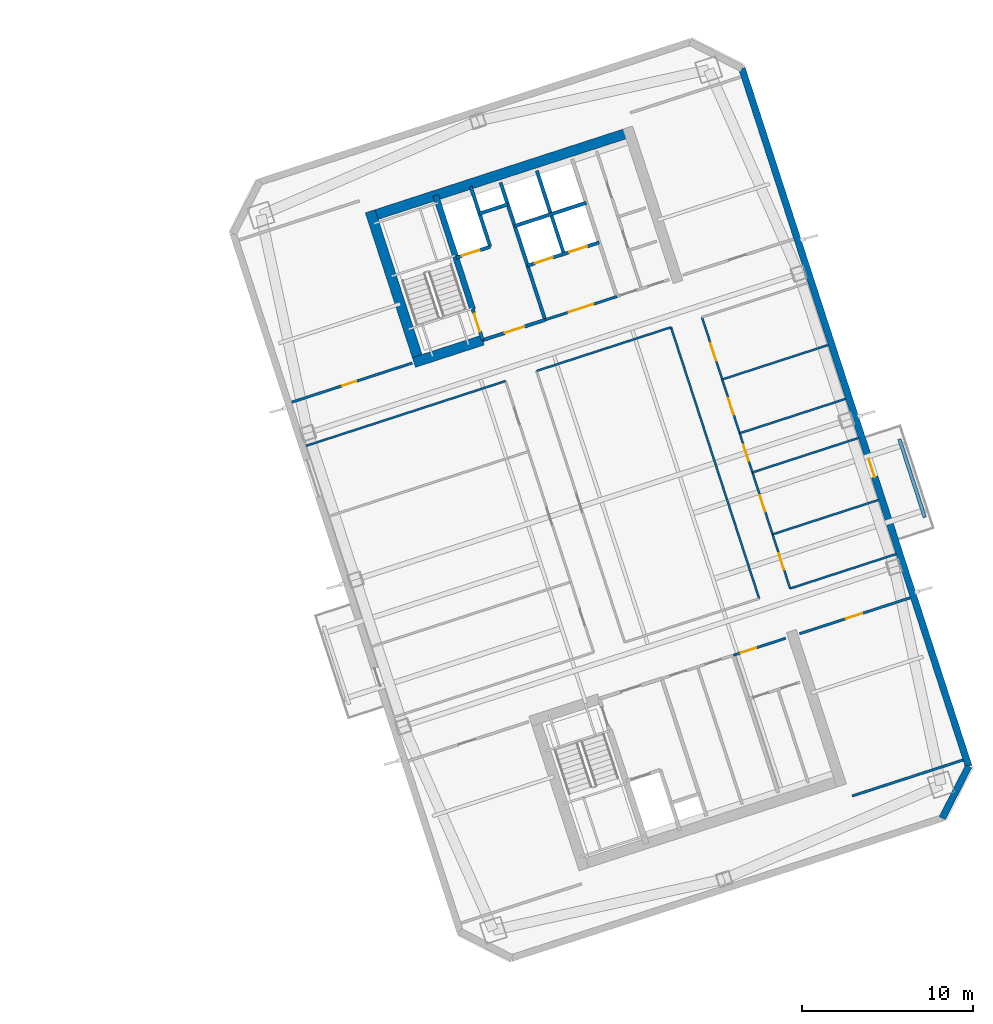
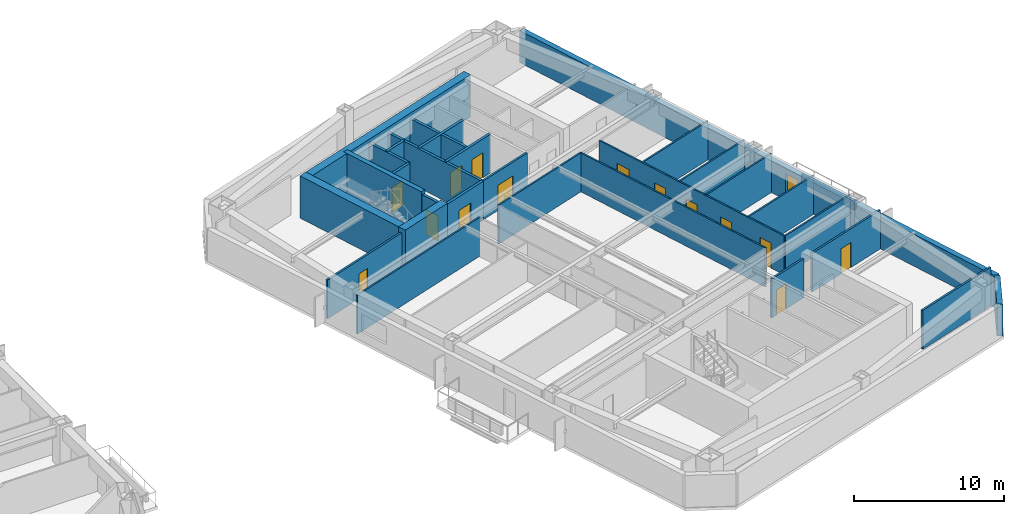
# One storey, part 9 of 17: 30 walls, 15 doors, 15 openings.
"""IFC4 building model written with IfcOpenShell, lengths in metres."""

from ifc_helpers import new_model, si_unit, direction, frame, frame_2d, origin, place, context, subcontext, project, spatial, rectangle, extrude, material, layer, layer_set, type_object, element, fill, save


model = new_model("IFC4")

# Units and contexts
model_context = context("Model", 3, precision=1e-05, world=origin(), true_north=direction((0.0, 1.0)))
body_context = subcontext(model_context, "Body", "Model", "MODEL_VIEW")
ifc_project = project(units=[si_unit("LENGTHUNIT", "METRE"), si_unit("AREAUNIT", "SQUARE_METRE"), si_unit("VOLUMEUNIT", "CUBIC_METRE"), si_unit("PLANEANGLEUNIT", "RADIAN"), si_unit("MASSUNIT", "GRAM", prefix="KILO")], contexts=[model_context])

# Site, building, storey
site_placement = place(None, origin())
site = spatial("IfcSite", under=ifc_project, at=site_placement, CompositionType="ELEMENT")
building_placement = place(site_placement, origin())
building = spatial("IfcBuilding", under=site, at=building_placement, Name="Qiaolan Cultural Towers", CompositionType="ELEMENT")
storey_placement = place(building_placement, frame((0.0, 0.0, 152.949951171875)))
storey = spatial("IfcBuildingStorey", under=building, at=storey_placement, Name="L40", CompositionType="ELEMENT", Elevation=152.949951171875)

# Walls
ifc_material_1 = material(Name="Concrete C50", Category="concrete")
ifc_layer_1 = layer(ifc_material_1, 0.35009765625)
ifc_layer_set_1 = layer_set([ifc_layer_1], Name="Concrete C50")
wall_type_1 = type_object("IfcWallType", Name="WL-CORE-350", PredefinedType="SHEAR", material=ifc_layer_set_1)
wall_1_placement = place(storey_placement, frame((82.513671875, 45.13134765625, 0.0), z_axis=(0.0, 0.0, 1.0), x_axis=(-0.308988790936, 0.951065679686, 0.0)))
element("IfcWall", 1, at=wall_1_placement, inside=storey, type_object=wall_type_1, Name="L40 T2-CN Stair Core Dividing Web", PredefinedType="SHEAR", context=body_context, shape_type="SweptSolid", body=[
    extrude(rectangle(XDim=6.97998046875, YDim=0.35009765625, at=frame_2d((3.489990234375, 0.0))), origin(), (0.0, 0.0, 1.0), 3.449951171875),
])
ifc_material_2 = material(Name="Concrete C55", Category="concrete")
ifc_layer_2 = layer(ifc_material_2, 0.60009765625)
ifc_layer_set_2 = layer_set([ifc_layer_2], Name="Concrete C55")
wall_type_2 = type_object("IfcWallType", Name="WL-CORE-600", PredefinedType="SHEAR", material=ifc_layer_set_2)
wall_2_placement = place(storey_placement, frame((76.343505859375, 50.4658203125, 0.0), z_axis=(0.0, 0.0, 1.0), x_axis=(0.951055727519, 0.309019421968, 0.0)))
element("IfcWall", 2, at=wall_2_placement, inside=storey, type_object=wall_type_2, Name="L40 T2-CN Outer Core Shear Wall", PredefinedType="SHEAR", context=body_context, shape_type="SweptSolid", body=[
    extrude(rectangle(XDim=16.39990234375, YDim=0.60009765625, at=frame_2d((8.199951171875, 0.0))), origin(), (0.0, 0.0, 1.0), 3.449951171875),
])
wall_3_placement = place(storey_placement, frame((79.465576171875, 41.827880859375, 0.0), z_axis=(0.0, 0.0, 1.0), x_axis=(-0.309041232772, 0.951048640421, 0.0)))
element("IfcWall", 3, at=wall_3_placement, inside=storey, type_object=wall_type_2, Name="L40 T2-CN West Core Shear Wall", PredefinedType="SHEAR", context=body_context, shape_type="SweptSolid", body=[
    extrude(rectangle(XDim=9.47998046875, YDim=0.60009765625, at=frame_2d((4.739990234375, 0.0))), origin(), (0.0, 0.0, 1.0), 3.449951171875),
])
wall_4_placement = place(storey_placement, frame((79.08740234375, 42.0205078125, 0.0), z_axis=(0.0, 0.0, 1.0), x_axis=(0.951062550203, 0.3089984233, 0.0)))
element("IfcWall", 4, at=wall_4_placement, inside=storey, type_object=wall_type_2, Name="L40 T2-CN Stair Front Shear Wall", PredefinedType="SHEAR", context=body_context, shape_type="SweptSolid", body=[
    extrude(rectangle(XDim=4.219970703125, YDim=0.60009765625, at=frame_2d((2.10986328125, 0.0))), origin(), (0.0, 0.0, 1.0), 3.449951171875),
])

# Wall, opening, door
ifc_material_3 = material(Name="Precast Concrete C50 Honed Stone Pier", Category="masonry")
ifc_layer_3 = layer(ifc_material_3, 0.39990234375)
ifc_layer_set_3 = layer_set([ifc_layer_3], Name="Precast Concrete C50 Honed Stone Pier")
wall_type_3 = type_object("IfcWallType", Name="WL-EXT-PIER-400", PredefinedType="SOLIDWALL", material=ifc_layer_set_3)
wall_5_placement = place(storey_placement, frame((98.2236328125, 59.17333984375, 0.0), z_axis=(0.0, 0.0, 1.0), x_axis=(0.309014228706, -0.951057414911, 0.0)))
wall_5 = element("IfcWall", 5, at=wall_5_placement, inside=storey, type_object=wall_type_3, Name="L40 East Tower Precast Pier Facade Wall F5", PredefinedType="SOLIDWALL", context=body_context, shape_type="SweptSolid", body=[
    extrude(rectangle(XDim=42.800048828125, YDim=0.39990234375, at=frame_2d((21.39990234375, 0.0))), origin(), (0.0, 0.0, 1.0), 2.610107421875),
])
opening_1_placement = place(wall_5_placement, frame((23.949951171875, 0.0, 0.0)))
opening_1 = element("IfcOpeningElement", 6, at=opening_1_placement, cuts=wall_5, Name="Opening BD-01", PredefinedType="OPENING", context=body_context, shape_type="SweptSolid", body=[
    extrude(rectangle(XDim=1.10009765625, YDim=2.14990234375, at=frame_2d((0.550048828125, 1.074951171875))), frame((0.0, 0.2099609375, 0.0), z_axis=(0.0, -1.0, 0.0), x_axis=(1.0, 0.0, 0.0)), (0.0, 0.0, 1.0), 0.419921875),
])
ifc_material_4 = material(Name="Thermally Broken Aluminium Glazed Terrace Door", Category="aluminium")
door_type_1 = type_object("IfcDoorType", Name="DR-BAL-1100", OperationType="NOTDEFINED", PredefinedType="DOOR", material=ifc_material_4)
door_1_placement = place(opening_1_placement, origin())
door_1 = element("IfcDoor", 7, at=door_1_placement, inside=storey, type_object=door_type_1, Name="L40 T2 East Tree Balcony Door", OperationType="SINGLE_SWING_RIGHT", OverallHeight=2.14990234375, OverallWidth=1.10009765625, PredefinedType="DOOR", context=body_context, shape_type="SweptSolid", body=[
    extrude(rectangle(XDim=1.10009765625, YDim=2.14990234375, at=frame_2d((0.550048828125, 1.074951171875))), frame((0.0, 0.02490234375, 0.0), z_axis=(0.0, -1.0, 0.0), x_axis=(1.0, 0.0, 0.0)), (0.0, 0.0, 1.0), 0.050048828125),
])
fill(opening_1, door_1)

# Wall
wall_6_placement = place(storey_placement, frame((111.449462890625, 18.468017578125, 0.0), z_axis=(0.0, 0.0, 1.0), x_axis=(-0.454019523198, -0.890991735402, 0.0)))
element("IfcWall", 8, at=wall_6_placement, inside=storey, type_object=wall_type_3, Name="L40 East Tower Precast Pier Facade Wall F6", PredefinedType="SOLIDWALL", context=body_context, shape_type="SweptSolid", body=[
    extrude(rectangle(XDim=3.39404296875, YDim=0.39990234375, at=frame_2d((1.697021484375, 0.0))), origin(), (0.0, 0.0, 1.0), 2.610107421875),
])

# Wall, opening, door
ifc_material_5 = material(Name="Concrete C35 Fire Wall", Category="concrete")
ifc_layer_4 = layer(ifc_material_5, 0.199951171875)
ifc_layer_set_4 = layer_set([ifc_layer_4], Name="Concrete C35 Fire Wall")
wall_type_4 = type_object("IfcWallType", Name="WL-FIRE-200", PredefinedType="PARTITIONING", material=ifc_layer_set_4)
wall_7_placement = place(storey_placement, frame((83.100830078125, 43.324462890625, 0.0), z_axis=(0.0, 0.0, 1.0), x_axis=(-0.309048298632, 0.951046344356, 0.0)))
wall_7 = element("IfcWall", 9, at=wall_7_placement, inside=storey, type_object=wall_type_4, Name="L40 T2-CN Smokeproof Stair Entry Wall", PredefinedType="PARTITIONING", context=body_context, shape_type="SweptSolid", body=[
    extrude(rectangle(XDim=1.89990234375, YDim=0.199951171875, at=frame_2d((0.949951171875, 0.0))), origin(), (0.0, 0.0, 1.0), 3.175048828125),
])
opening_2_placement = place(wall_7_placement, frame((0.52001953125, 0.0, 0.0)))
opening_2 = element("IfcOpeningElement", 10, at=opening_2_placement, cuts=wall_7, Name="Opening FD-04", PredefinedType="OPENING", context=body_context, shape_type="SweptSolid", body=[
    extrude(rectangle(XDim=1.10009765625, YDim=2.050048828125, at=frame_2d((0.550048828125, 1.02490234375))), frame((0.0, 0.10986328125, 0.0), z_axis=(0.0, -1.0, 0.0), x_axis=(1.0, 0.0, 0.0)), (0.0, 0.0, 1.0), 0.219970703125),
])
ifc_material_6 = material(Name="Galvanized Steel Command Fire Door", Category="steel")
door_type_2 = type_object("IfcDoorType", Name="DR-FD90-1100", OperationType="NOTDEFINED", PredefinedType="DOOR", material=ifc_material_6)
door_2_placement = place(opening_2_placement, origin())
door_2 = element("IfcDoor", 11, at=door_2_placement, inside=storey, type_object=door_type_2, Name="L40 ST-E2 Smokeproof Stair Fire Door", OperationType="SINGLE_SWING_LEFT", OverallHeight=2.050048828125, OverallWidth=1.10009765625, PredefinedType="DOOR", context=body_context, shape_type="SweptSolid", body=[
    extrude(rectangle(XDim=1.10009765625, YDim=2.050048828125, at=frame_2d((0.550048828125, 1.02490234375))), frame((0.0, 0.02490234375, 0.0), z_axis=(0.0, -1.0, 0.0), x_axis=(1.0, 0.0, 0.0)), (0.0, 0.0, 1.0), 0.050048828125),
])
fill(opening_2, door_2)

# Wall
wall_8_placement = place(storey_placement, frame((86.743408203125, 44.508056640625, 0.0), z_axis=(0.0, 0.0, 1.0), x_axis=(-0.309016001439, 0.951056838919, 0.0)))
element("IfcWall", 12, at=wall_8_placement, inside=storey, type_object=wall_type_4, Name="L40 T2-CN Firefighting Zone Wall", PredefinedType="PARTITIONING", context=body_context, shape_type="SweptSolid", body=[
    extrude(rectangle(XDim=8.429931640625, YDim=0.199951171875, at=frame_2d((4.21484375, 0.0))), origin(), (0.0, 0.0, 1.0), 3.175048828125),
])

# Wall, opening, door
wall_9_placement = place(storey_placement, frame((83.100830078125, 43.324462890625, 0.0), z_axis=(0.0, 0.0, 1.0), x_axis=(0.951052804469, 0.309028417967, 0.0)))
wall_9 = element("IfcWall", 13, at=wall_9_placement, inside=storey, type_object=wall_type_4, Name="L40 T2-CN Firefighting Lobby Front Wall", PredefinedType="PARTITIONING", context=body_context, shape_type="SweptSolid", body=[
    extrude(rectangle(XDim=3.830078125, YDim=0.199951171875, at=frame_2d((1.9150390625, 0.0))), origin(), (0.0, 0.0, 1.0), 3.175048828125),
])
opening_3_placement = place(wall_9_placement, frame((1.35009765625, 0.0, 0.0)))
opening_3 = element("IfcOpeningElement", 14, at=opening_3_placement, cuts=wall_9, Name="Opening FD-03", PredefinedType="OPENING", context=body_context, shape_type="SweptSolid", body=[
    extrude(rectangle(XDim=1.199951171875, YDim=2.050048828125, at=frame_2d((0.60009765625, 1.02490234375))), frame((0.0, 0.10986328125, 0.0), z_axis=(0.0, -1.0, 0.0), x_axis=(1.0, 0.0, 0.0)), (0.0, 0.0, 1.0), 0.219970703125),
])
ifc_material_7 = material(Name="Galvanized Steel Smokeproof Lobby Fire Door", Category="steel")
door_type_3 = type_object("IfcDoorType", Name="DR-FD90-1200", OperationType="NOTDEFINED", PredefinedType="DOOR", material=ifc_material_7)
door_3_placement = place(opening_3_placement, origin())
door_3 = element("IfcDoor", 15, at=door_3_placement, inside=storey, type_object=door_type_3, Name="L40 FFL-E2 Firefighting Lobby Fire Door", OperationType="SINGLE_SWING_LEFT", OverallHeight=2.050048828125, OverallWidth=1.199951171875, PredefinedType="DOOR", context=body_context, shape_type="SweptSolid", body=[
    extrude(rectangle(XDim=1.199951171875, YDim=2.050048828125, at=frame_2d((0.60009765625, 1.02490234375))), frame((0.0, 0.02490234375, 0.0), z_axis=(0.0, -1.0, 0.0), x_axis=(1.0, 0.0, 0.0)), (0.0, 0.0, 1.0), 0.050048828125),
])
fill(opening_3, door_3)

wall_10_placement = place(storey_placement, frame((81.540283203125, 48.127197265625, 0.0), z_axis=(0.0, 0.0, 1.0), x_axis=(0.951062257173, 0.308999325213, 0.0)))
wall_10 = element("IfcWall", 16, at=wall_10_placement, inside=storey, type_object=wall_type_4, Name="L40 T2-CN Firefighting Shaft Front Wall", PredefinedType="PARTITIONING", context=body_context, shape_type="SweptSolid", body=[
    extrude(rectangle(XDim=2.10009765625, YDim=0.199951171875, at=frame_2d((1.050048828125, 0.0))), origin(), (0.0, 0.0, 1.0), 3.175048828125),
])
opening_4_placement = place(wall_10_placement, frame((0.35009765625, 0.0, 0.0)))
opening_4 = element("IfcOpeningElement", 17, at=opening_4_placement, cuts=wall_10, Name="Opening LD-01", PredefinedType="OPENING", context=body_context, shape_type="SweptSolid", body=[
    extrude(rectangle(XDim=1.10009765625, YDim=2.050048828125, at=frame_2d((0.550048828125, 1.02490234375))), frame((0.0, 0.10986328125, 0.0), z_axis=(0.0, -1.0, 0.0), x_axis=(1.0, 0.0, 0.0)), (0.0, 0.0, 1.0), 0.219970703125),
])
ifc_material_8 = material(Name="Brushed Stainless Steel S30408 Centre-Parting Lift Landing Door", Category="steel")
door_type_4 = type_object("IfcDoorType", Name="DR-LIFT-1100", OperationType="NOTDEFINED", PredefinedType="DOOR", material=ifc_material_8)
door_4_placement = place(opening_4_placement, origin())
door_4 = element("IfcDoor", 18, at=door_4_placement, inside=storey, type_object=door_type_4, Name="L40 FFL-E2 Firefighting Lift Landing Door", OperationType="DOUBLE_DOOR_SLIDING", OverallHeight=2.050048828125, OverallWidth=1.10009765625, PredefinedType="DOOR", context=body_context, shape_type="SweptSolid", body=[
    extrude(rectangle(XDim=1.10009765625, YDim=2.050048828125, at=frame_2d((0.550048828125, 1.02490234375))), frame((0.0, 0.02490234375, 0.0), z_axis=(0.0, -1.0, 0.0), x_axis=(1.0, 0.0, 0.0)), (0.0, 0.0, 1.0), 0.050048828125),
])
fill(opening_4, door_4)

# Walls
wall_11_placement = place(storey_placement, frame((83.53759765625, 48.776123046875, 0.0), z_axis=(0.0, 0.0, 1.0), x_axis=(-0.3089935693, 0.951064127245, 0.0)))
element("IfcWall", 19, at=wall_11_placement, inside=storey, type_object=wall_type_4, Name="L40 T2-CN Firefighting Hoistway East Wall", PredefinedType="PARTITIONING", context=body_context, shape_type="SweptSolid", body=[
    extrude(rectangle(XDim=3.7001953125, YDim=0.199951171875, at=frame_2d((1.85009765625, 0.0))), origin(), (0.0, 0.0, 1.0), 3.175048828125),
])
wall_12_placement = place(storey_placement, frame((82.910400390625, 50.706787109375, 0.0), z_axis=(0.0, 0.0, 1.0), x_axis=(0.951041328149, 0.309063734775, 0.0)))
element("IfcWall", 20, at=wall_12_placement, inside=storey, type_object=wall_type_4, Name="L40 T2-CN Pressurization Shaft Front Wall", PredefinedType="PARTITIONING", context=body_context, shape_type="SweptSolid", body=[
    extrude(rectangle(XDim=1.72998046875, YDim=0.199951171875, at=frame_2d((0.864990234375, 0.0))), origin(), (0.0, 0.0, 1.0), 3.175048828125),
])

# Wall, openings, doors
wall_13_placement = place(storey_placement, frame((85.717529296875, 47.66552734375, 0.0), z_axis=(0.0, 0.0, 1.0), x_axis=(0.951058531764, 0.30901079133, 0.0)))
wall_13 = element("IfcWall", 21, at=wall_13_placement, inside=storey, type_object=wall_type_4, Name="L40 T2-CN Passenger Lift Shaft Front Wall", PredefinedType="PARTITIONING", context=body_context, shape_type="SweptSolid", body=[
    extrude(rectangle(XDim=4.39990234375, YDim=0.199951171875, at=frame_2d((2.199951171875, 0.0))), origin(), (0.0, 0.0, 1.0), 3.175048828125),
])
opening_5_placement = place(wall_13_placement, frame((0.449951171875, 0.0, 0.0)))
opening_5 = element("IfcOpeningElement", 22, at=opening_5_placement, cuts=wall_13, Name="Opening LD-01", PredefinedType="OPENING", context=body_context, shape_type="SweptSolid", body=[
    extrude(rectangle(XDim=1.10009765625, YDim=2.050048828125, at=frame_2d((0.550048828125, 1.02490234375))), frame((0.0, 0.10986328125, 0.0), z_axis=(0.0, -1.0, 0.0), x_axis=(1.0, 0.0, 0.0)), (0.0, 0.0, 1.0), 0.219970703125),
])
opening_6_placement = place(wall_13_placement, frame((2.550048828125, 0.0, 0.0)))
opening_6 = element("IfcOpeningElement", 23, at=opening_6_placement, cuts=wall_13, Name="Opening LD-01", PredefinedType="OPENING", context=body_context, shape_type="SweptSolid", body=[
    extrude(rectangle(XDim=1.10009765625, YDim=2.050048828125, at=frame_2d((0.550048828125, 1.02490234375))), frame((0.0, 0.10986328125, 0.0), z_axis=(0.0, -1.0, 0.0), x_axis=(1.0, 0.0, 0.0)), (0.0, 0.0, 1.0), 0.219970703125),
])
door_5_placement = place(opening_5_placement, origin())
door_5 = element("IfcDoor", 24, at=door_5_placement, inside=storey, type_object=door_type_4, Name="L40 Passenger Lift 1 Landing Door", OperationType="DOUBLE_DOOR_SLIDING", OverallHeight=2.050048828125, OverallWidth=1.10009765625, PredefinedType="DOOR", context=body_context, shape_type="SweptSolid", body=[
    extrude(rectangle(XDim=1.10009765625, YDim=2.050048828125, at=frame_2d((0.550048828125, 1.02490234375))), frame((0.0, 0.02490234375, 0.0), z_axis=(0.0, -1.0, 0.0), x_axis=(1.0, 0.0, 0.0)), (0.0, 0.0, 1.0), 0.050048828125),
])
fill(opening_5, door_5)
door_6_placement = place(opening_6_placement, origin())
door_6 = element("IfcDoor", 25, at=door_6_placement, inside=storey, type_object=door_type_4, Name="L40 Passenger Lift 2 Landing Door", OperationType="DOUBLE_DOOR_SLIDING", OverallHeight=2.050048828125, OverallWidth=1.10009765625, PredefinedType="DOOR", context=body_context, shape_type="SweptSolid", body=[
    extrude(rectangle(XDim=1.10009765625, YDim=2.050048828125, at=frame_2d((0.550048828125, 1.02490234375))), frame((0.0, 0.02490234375, 0.0), z_axis=(0.0, -1.0, 0.0), x_axis=(1.0, 0.0, 0.0)), (0.0, 0.0, 1.0), 0.050048828125),
])
fill(opening_6, door_6)

# Walls
wall_14_placement = place(storey_placement, frame((87.83837890625, 48.3544921875, 0.0), z_axis=(0.0, 0.0, 1.0), x_axis=(-0.3090093719, 0.951058992953, 0.0)))
element("IfcWall", 26, at=wall_14_placement, inside=storey, type_object=wall_type_4, Name="L40 T2-CN Lift Shaft Divider Wall", PredefinedType="PARTITIONING", context=body_context, shape_type="SweptSolid", body=[
    extrude(rectangle(XDim=5.110107421875, YDim=0.199951171875, at=frame_2d((2.55517578125, 0.0))), origin(), (0.0, 0.0, 1.0), 3.175048828125),
])
wall_15_placement = place(storey_placement, frame((84.966552734375, 49.9765625, 0.0), z_axis=(0.0, 0.0, 1.0), x_axis=(0.951063829732, 0.308994485023, 0.0)))
element("IfcWall", 27, at=wall_15_placement, inside=storey, type_object=wall_type_4, Name="L40 T2-CN Passenger Lift Shaft Back Wall", PredefinedType="PARTITIONING", context=body_context, shape_type="SweptSolid", body=[
    extrude(rectangle(XDim=4.400146484375, YDim=0.199951171875, at=frame_2d((2.2001953125, 0.0))), origin(), (0.0, 0.0, 1.0), 3.175048828125),
])
ifc_material_9 = material(Name="Gypsum Stud Acoustic Partition", Category="gypsum")
ifc_layer_5 = layer(ifc_material_9, 0.1201171875)
ifc_layer_set_5 = layer_set([ifc_layer_5], Name="Gypsum Stud Acoustic Partition")
wall_type_5 = type_object("IfcWallType", Name="WL-PART-120", PredefinedType="PARTITIONING", material=ifc_layer_set_5)
wall_16_placement = place(storey_placement, frame((101.035400390625, 28.83740234375, 0.0), z_axis=(0.0, 0.0, 1.0), x_axis=(0.95104869662, 0.309041059824, 0.0)))
element("IfcWall", 28, at=wall_16_placement, inside=storey, type_object=wall_type_5, Name="L40 T2 Interior Wall", PredefinedType="PARTITIONING", context=body_context, shape_type="SweptSolid", body=[
    extrude(rectangle(XDim=6.5, YDim=0.1201171875, at=frame_2d((3.25, 0.0))), origin(), (0.0, 0.0, 1.0), 3.175048828125),
])
wall_17_placement = place(storey_placement, frame((72.78271484375, 37.15380859375, 0.0), z_axis=(0.0, 0.0, 1.0), x_axis=(0.9510516424, 0.30903199428, 0.0)))
element("IfcWall", 29, at=wall_17_placement, inside=storey, type_object=wall_type_5, Name="L40 T2 Interior Wall", PredefinedType="PARTITIONING", context=body_context, shape_type="SweptSolid", body=[
    extrude(rectangle(XDim=12.25, YDim=0.1201171875, at=frame_2d((6.125, 0.0))), origin(), (0.0, 0.0, 1.0), 3.175048828125),
])
wall_18_placement = place(storey_placement, frame((86.240234375, 41.526611328125, 0.0), z_axis=(0.0, 0.0, 1.0), x_axis=(0.951058857521, 0.309009788731, 0.0)))
element("IfcWall", 30, at=wall_18_placement, inside=storey, type_object=wall_type_5, Name="L40 T2 Interior Wall", PredefinedType="PARTITIONING", context=body_context, shape_type="SweptSolid", body=[
    extrude(rectangle(XDim=8.25, YDim=0.1201171875, at=frame_2d((4.125, 0.0))), origin(), (0.0, 0.0, 1.0), 3.175048828125),
])
wall_19_placement = place(storey_placement, frame((99.228515625, 28.250244140625, 0.0), z_axis=(0.0, 0.0, 1.0), x_axis=(-0.30901773025, 0.951056277195, 0.0)))
element("IfcWall", 31, at=wall_19_placement, inside=storey, type_object=wall_type_5, Name="L40 T2 Interior Wall", PredefinedType="PARTITIONING", context=body_context, shape_type="SweptSolid", body=[
    extrude(rectangle(XDim=16.64013671875, YDim=0.1201171875, at=frame_2d((8.320068359375, 0.0))), origin(), (0.0, 0.0, 1.0), 3.175048828125),
])

# Wall, openings, doors
wall_20_placement = place(storey_placement, frame((101.035400390625, 28.83740234375, 0.0), z_axis=(0.0, 0.0, 1.0), x_axis=(-0.30901773025, 0.951056277195, 0.0)))
wall_20 = element("IfcWall", 32, at=wall_20_placement, inside=storey, type_object=wall_type_5, Name="L40 T2 Interior Wall", PredefinedType="PARTITIONING", context=body_context, shape_type="SweptSolid", body=[
    extrude(rectangle(XDim=16.64013671875, YDim=0.1201171875, at=frame_2d((8.320068359375, 0.0))), origin(), (0.0, 0.0, 1.0), 3.175048828125),
])
opening_7_placement = place(wall_20_placement, frame((1.159912109375, 0.0, 0.0)))
opening_7 = element("IfcOpeningElement", 33, at=opening_7_placement, cuts=wall_20, Name="Opening ID-04", PredefinedType="OPENING", context=body_context, shape_type="SweptSolid", body=[
    extrude(rectangle(XDim=1.0, YDim=2.050048828125, at=frame_2d((0.5, 1.02490234375))), frame((0.0, 0.070068359375, 0.0), z_axis=(0.0, -1.0, 0.0), x_axis=(1.0, 0.0, 0.0)), (0.0, 0.0, 1.0), 0.14013671875),
])
opening_8_placement = place(wall_20_placement, frame((4.719970703125, 0.0, 0.0)))
opening_8 = element("IfcOpeningElement", 34, at=opening_8_placement, cuts=wall_20, Name="Opening ID-04", PredefinedType="OPENING", context=body_context, shape_type="SweptSolid", body=[
    extrude(rectangle(XDim=1.0, YDim=2.050048828125, at=frame_2d((0.5, 1.02490234375))), frame((0.0, 0.070068359375, 0.0), z_axis=(0.0, -1.0, 0.0), x_axis=(1.0, 0.0, 0.0)), (0.0, 0.0, 1.0), 0.14013671875),
])
opening_9_placement = place(wall_20_placement, frame((7.820068359375, 0.0, 0.0)))
opening_9 = element("IfcOpeningElement", 35, at=opening_9_placement, cuts=wall_20, Name="Opening ID-04", PredefinedType="OPENING", context=body_context, shape_type="SweptSolid", body=[
    extrude(rectangle(XDim=1.0, YDim=2.050048828125, at=frame_2d((0.5, 1.02490234375))), frame((0.0, 0.070068359375, 0.0), z_axis=(0.0, -1.0, 0.0), x_axis=(1.0, 0.0, 0.0)), (0.0, 0.0, 1.0), 0.14013671875),
])
opening_10_placement = place(wall_20_placement, frame((10.670654296875, 0.0, 0.0)))
opening_10 = element("IfcOpeningElement", 36, at=opening_10_placement, cuts=wall_20, Name="Opening ID-04", PredefinedType="OPENING", context=body_context, shape_type="SweptSolid", body=[
    extrude(rectangle(XDim=1.0, YDim=2.050048828125, at=frame_2d((0.5, 1.02490234375))), frame((0.0, 0.070068359375, 0.0), z_axis=(0.0, -1.0, 0.0), x_axis=(1.0, 0.0, 0.0)), (0.0, 0.0, 1.0), 0.14013671875),
])
opening_11_placement = place(wall_20_placement, frame((13.970703125, 0.0, 0.0)))
opening_11 = element("IfcOpeningElement", 37, at=opening_11_placement, cuts=wall_20, Name="Opening ID-07", PredefinedType="OPENING", context=body_context, shape_type="SweptSolid", body=[
    extrude(rectangle(XDim=1.050048828125, YDim=2.050048828125, at=frame_2d((0.52490234375, 1.02490234375))), frame((0.0, 0.070068359375, 0.0), z_axis=(0.0, -1.0, 0.0), x_axis=(1.0, 0.0, 0.0)), (0.0, 0.0, 1.0), 0.14013671875),
])
ifc_material_10 = material(Name="Oak Veneer Acoustic Office Door", Category="timber")
door_type_5 = type_object("IfcDoorType", Name="DR-INT-1000", OperationType="NOTDEFINED", PredefinedType="DOOR", material=ifc_material_10)
door_7_placement = place(opening_7_placement, origin())
door_7 = element("IfcDoor", 38, at=door_7_placement, inside=storey, type_object=door_type_5, Name="L40 T2 Art Consultancy Shop Door", OperationType="SINGLE_SWING_RIGHT", OverallHeight=2.050048828125, OverallWidth=1.0, PredefinedType="DOOR", context=body_context, shape_type="SweptSolid", body=[
    extrude(rectangle(XDim=1.0, YDim=2.050048828125, at=frame_2d((0.5, 1.02490234375))), frame((0.0, 0.02490234375, 0.0), z_axis=(0.0, -1.0, 0.0), x_axis=(1.0, 0.0, 0.0)), (0.0, 0.0, 1.0), 0.050048828125),
])
fill(opening_7, door_7)
door_8_placement = place(opening_8_placement, origin())
door_8 = element("IfcDoor", 39, at=door_8_placement, inside=storey, type_object=door_type_5, Name="L40 T2 Art Consultancy Shop Door", OperationType="SINGLE_SWING_LEFT", OverallHeight=2.050048828125, OverallWidth=1.0, PredefinedType="DOOR", context=body_context, shape_type="SweptSolid", body=[
    extrude(rectangle(XDim=1.0, YDim=2.050048828125, at=frame_2d((0.5, 1.02490234375))), frame((0.0, 0.02490234375, 0.0), z_axis=(0.0, -1.0, 0.0), x_axis=(1.0, 0.0, 0.0)), (0.0, 0.0, 1.0), 0.050048828125),
])
fill(opening_8, door_8)
door_9_placement = place(opening_9_placement, origin())
door_9 = element("IfcDoor", 40, at=door_9_placement, inside=storey, type_object=door_type_5, Name="L40 T2 Art Consultancy Shop Door", OperationType="SINGLE_SWING_RIGHT", OverallHeight=2.050048828125, OverallWidth=1.0, PredefinedType="DOOR", context=body_context, shape_type="SweptSolid", body=[
    extrude(rectangle(XDim=1.0, YDim=2.050048828125, at=frame_2d((0.5, 1.02490234375))), frame((0.0, 0.02490234375, 0.0), z_axis=(0.0, -1.0, 0.0), x_axis=(1.0, 0.0, 0.0)), (0.0, 0.0, 1.0), 0.050048828125),
])
fill(opening_9, door_9)
door_10_placement = place(opening_10_placement, origin())
door_10 = element("IfcDoor", 41, at=door_10_placement, inside=storey, type_object=door_type_5, Name="L40 T2 Art Consultancy Shop Door", OperationType="SINGLE_SWING_LEFT", OverallHeight=2.050048828125, OverallWidth=1.0, PredefinedType="DOOR", context=body_context, shape_type="SweptSolid", body=[
    extrude(rectangle(XDim=1.0, YDim=2.050048828125, at=frame_2d((0.5, 1.02490234375))), frame((0.0, 0.02490234375, 0.0), z_axis=(0.0, -1.0, 0.0), x_axis=(1.0, 0.0, 0.0)), (0.0, 0.0, 1.0), 0.050048828125),
])
fill(opening_10, door_10)
ifc_material_11 = material(Name="Oak Veneer Consultation Door", Category="timber")
door_type_6 = type_object("IfcDoorType", Name="DR-INT-1050", OperationType="NOTDEFINED", PredefinedType="DOOR", material=ifc_material_11)
door_11_placement = place(opening_11_placement, origin())
door_11 = element("IfcDoor", 42, at=door_11_placement, inside=storey, type_object=door_type_6, Name="L40 T2 Executive Office Door", OperationType="SINGLE_SWING_RIGHT", OverallHeight=2.050048828125, OverallWidth=1.050048828125, PredefinedType="DOOR", context=body_context, shape_type="SweptSolid", body=[
    extrude(rectangle(XDim=1.050048828125, YDim=2.050048828125, at=frame_2d((0.52490234375, 1.02490234375))), frame((0.0, 0.02490234375, 0.0), z_axis=(0.0, -1.0, 0.0), x_axis=(1.0, 0.0, 0.0)), (0.0, 0.0, 1.0), 0.050048828125),
])
fill(opening_11, door_11)

# Walls
for number, where, z_axis, x_axis, name in (
    (43, (100.009521484375, 31.994873046875, 0.0), (0.0, 0.0, 1.0), (0.95104869662, 0.309041059824, 0.0), "L40 T2 Interior Wall"),
    (44, (98.835205078125, 35.60888671875, 0.0), (0.0, 0.0, 1.0), (0.95104869662, 0.309041059824, 0.0), "L40 T2 Interior Wall"),
    (45, (98.093505859375, 37.8916015625, 0.0), (0.0, 0.0, 1.0), (0.951059735424, 0.30900708674, 0.0), "L40 T2 Interior Wall"),
    (46, (97.073486328125, 41.03125, 0.0), (0.0, 0.0, 1.0), (0.95104869662, 0.309041059824, 0.0), "L40 T2 Interior Wall"),
):
    element("IfcWall", number, at=place(storey_placement, frame(where, z_axis=z_axis, x_axis=x_axis)), inside=storey, type_object=wall_type_5, Name=name, PredefinedType="PARTITIONING", context=body_context, shape_type="SweptSolid", body=[
        extrude(rectangle(XDim=6.5, YDim=0.1201171875, at=frame_2d((3.25, 0.0))), origin(), (0.0, 0.0, 1.0), 3.175048828125),
    ])

# Wall, opening, door
ifc_material_12 = material(Name="Autoclaved Aerated Concrete Block B06", Category="concrete")
ifc_layer_6 = layer(ifc_material_12, 0.14990234375)
ifc_layer_set_6 = layer_set([ifc_layer_6], Name="Autoclaved Aerated Concrete Block B06")
wall_type_6 = type_object("IfcWallType", Name="WL-PART-150", PredefinedType="PARTITIONING", material=ifc_layer_set_6)
wall_21_placement = place(storey_placement, frame((97.7265625, 24.9443359375, 0.0), z_axis=(0.0, 0.0, 1.0), x_axis=(0.951036872128, 0.309077446369, 0.0)))
wall_21 = element("IfcWall", 47, at=wall_21_placement, inside=storey, type_object=wall_type_6, Name="L40 T2-CS Sanitary Core Front Wall", PredefinedType="PARTITIONING", context=body_context, shape_type="SweptSolid", body=[
    extrude(rectangle(XDim=3.199951171875, YDim=0.14990234375, at=frame_2d((1.60009765625, 0.0))), origin(), (0.0, 0.0, 1.0), 3.175048828125),
])
opening_12_placement = place(wall_21_placement, frame((0.449951171875, 0.0, 0.0)))
opening_12 = element("IfcOpeningElement", 48, at=opening_12_placement, cuts=wall_21, Name="Opening ID-05", PredefinedType="OPENING", context=body_context, shape_type="SweptSolid", body=[
    extrude(rectangle(XDim=0.949951171875, YDim=2.050048828125, at=frame_2d((0.47509765625, 1.02490234375))), frame((0.0, 0.0849609375, 0.0), z_axis=(0.0, -1.0, 0.0), x_axis=(1.0, 0.0, 0.0)), (0.0, 0.0, 1.0), 0.169921875),
])
ifc_material_13 = material(Name="Fire-Rated Laminate Accessible Core Door", Category="timber")
door_type_7 = type_object("IfcDoorType", Name="DR-INT-950", OperationType="NOTDEFINED", PredefinedType="DOOR", material=ifc_material_13)
door_12_placement = place(opening_12_placement, origin())
door_12 = element("IfcDoor", 49, at=door_12_placement, inside=storey, type_object=door_type_7, Name="L40 Sanitary Vestibule Door", OperationType="SINGLE_SWING_LEFT", OverallHeight=2.050048828125, OverallWidth=0.949951171875, PredefinedType="DOOR", context=body_context, shape_type="SweptSolid", body=[
    extrude(rectangle(XDim=0.949951171875, YDim=2.050048828125, at=frame_2d((0.47509765625, 1.02490234375))), frame((0.0, 0.02490234375, 0.0), z_axis=(0.0, -1.0, 0.0), x_axis=(1.0, 0.0, 0.0)), (0.0, 0.0, 1.0), 0.050048828125),
])
fill(opening_12, door_12)

wall_22_placement = place(storey_placement, frame((86.743408203125, 44.508056640625, 0.0), z_axis=(0.0, 0.0, 1.0), x_axis=(0.951063829732, 0.308994485023, 0.0)))
wall_22 = element("IfcWall", 50, at=wall_22_placement, inside=storey, type_object=wall_type_6, Name="L40 T2-CN Passenger Lift Lobby Front Wall", PredefinedType="PARTITIONING", context=body_context, shape_type="SweptSolid", body=[
    extrude(rectangle(XDim=4.400146484375, YDim=0.14990234375, at=frame_2d((2.2001953125, 0.0))), origin(), (0.0, 0.0, 1.0), 3.175048828125),
])
opening_13_placement = place(wall_22_placement, frame((1.449951171875, 0.0, 0.0)))
opening_13 = element("IfcOpeningElement", 51, at=opening_13_placement, cuts=wall_22, Name="Opening FD-05", PredefinedType="OPENING", context=body_context, shape_type="SweptSolid", body=[
    extrude(rectangle(XDim=1.5, YDim=2.050048828125, at=frame_2d((0.75, 1.02490234375))), frame((0.0, 0.0849609375, 0.0), z_axis=(0.0, -1.0, 0.0), x_axis=(1.0, 0.0, 0.0)), (0.0, 0.0, 1.0), 0.169921875),
])
ifc_material_14 = material(Name="Painted Steel Lift Lobby Fire Door", Category="steel")
door_type_8 = type_object("IfcDoorType", Name="DR-FD60-1500", OperationType="NOTDEFINED", PredefinedType="DOOR", material=ifc_material_14)
door_13_placement = place(opening_13_placement, origin())
door_13 = element("IfcDoor", 52, at=door_13_placement, inside=storey, type_object=door_type_8, Name="L40 Passenger Lift Lobby Entrance", OperationType="SINGLE_SWING_LEFT", OverallHeight=2.050048828125, OverallWidth=1.5, PredefinedType="DOOR", context=body_context, shape_type="SweptSolid", body=[
    extrude(rectangle(XDim=1.5, YDim=2.050048828125, at=frame_2d((0.75, 1.02490234375))), frame((0.0, 0.02490234375, 0.0), z_axis=(0.0, -1.0, 0.0), x_axis=(1.0, 0.0, 0.0)), (0.0, 0.0, 1.0), 0.050048828125),
])
fill(opening_13, door_13)

# Wall
wall_23_placement = place(storey_placement, frame((104.653076171875, 16.73291015625, 0.0), z_axis=(0.0, 0.0, 1.0), x_axis=(0.951054383043, 0.309023559774, 0.0)))
element("IfcWall", 53, at=wall_23_placement, inside=storey, type_object=wall_type_6, Name="L40 T2 Flank Wall FLK-SE", PredefinedType="PARTITIONING", context=body_context, shape_type="SweptSolid", body=[
    extrude(rectangle(XDim=6.7998046875, YDim=0.14990234375, at=frame_2d((3.39990234375, 0.0))), origin(), (0.0, 0.0, 1.0), 3.175048828125),
])

# Wall, opening, door
wall_24_placement = place(storey_placement, frame((101.578369140625, 26.196044921875, 0.0), z_axis=(0.0, 0.0, 1.0), x_axis=(0.951064934653, 0.308991084134, 0.0)))
wall_24 = element("IfcWall", 54, at=wall_24_placement, inside=storey, type_object=wall_type_6, Name="L40 T2 Flank Front FLK-SE", PredefinedType="PARTITIONING", context=body_context, shape_type="SweptSolid", body=[
    extrude(rectangle(XDim=6.7998046875, YDim=0.14990234375, at=frame_2d((3.39990234375, 0.0))), origin(), (0.0, 0.0, 1.0), 3.175048828125),
])
opening_14_placement = place(wall_24_placement, frame((2.85595703125, 0.0, 0.0)))
opening_14 = element("IfcOpeningElement", 55, at=opening_14_placement, cuts=wall_24, Name="Opening ID-04", PredefinedType="OPENING", context=body_context, shape_type="SweptSolid", body=[
    extrude(rectangle(XDim=1.0, YDim=2.050048828125, at=frame_2d((0.5, 1.02490234375))), frame((0.0, 0.0849609375, 0.0), z_axis=(0.0, -1.0, 0.0), x_axis=(1.0, 0.0, 0.0)), (0.0, 0.0, 1.0), 0.169921875),
])
door_14_placement = place(opening_14_placement, origin())
door_14 = element("IfcDoor", 56, at=door_14_placement, inside=storey, type_object=door_type_5, Name="L40 T2 Corner Studio Door", OperationType="SINGLE_SWING_LEFT", OverallHeight=2.050048828125, OverallWidth=1.0, PredefinedType="DOOR", context=body_context, shape_type="SweptSolid", body=[
    extrude(rectangle(XDim=1.0, YDim=2.050048828125, at=frame_2d((0.5, 1.02490234375))), frame((0.0, 0.02490234375, 0.0), z_axis=(0.0, -1.0, 0.0), x_axis=(1.0, 0.0, 0.0)), (0.0, 0.0, 1.0), 0.050048828125),
])
fill(opening_14, door_14)

wall_25_placement = place(storey_placement, frame((71.95458984375, 39.702880859375, 0.0), z_axis=(0.0, 0.0, 1.0), x_axis=(0.951060977215, 0.309003264738, 0.0)))
wall_25 = element("IfcWall", 57, at=wall_25_placement, inside=storey, type_object=wall_type_6, Name="L40 T2 Flank Front FLK-NW", PredefinedType="PARTITIONING", context=body_context, shape_type="SweptSolid", body=[
    extrude(rectangle(XDim=7.39990234375, YDim=0.14990234375, at=frame_2d((3.699951171875, 0.0))), origin(), (0.0, 0.0, 1.0), 3.175048828125),
])
opening_15_placement = place(wall_25_placement, frame((3.10791015625, 0.0, 0.0)))
opening_15 = element("IfcOpeningElement", 58, at=opening_15_placement, cuts=wall_25, Name="Opening ID-09", PredefinedType="OPENING", context=body_context, shape_type="SweptSolid", body=[
    extrude(rectangle(XDim=0.85009765625, YDim=2.050048828125, at=frame_2d((0.425048828125, 1.02490234375))), frame((0.0, 0.0849609375, 0.0), z_axis=(0.0, -1.0, 0.0), x_axis=(1.0, 0.0, 0.0)), (0.0, 0.0, 1.0), 0.169921875),
])
ifc_material_15 = material(Name="Moisture-Resistant Laminate Utility Door", Category="timber")
door_type_9 = type_object("IfcDoorType", Name="DR-INT-850", OperationType="NOTDEFINED", PredefinedType="DOOR", material=ifc_material_15)
door_15_placement = place(opening_15_placement, origin())
door_15 = element("IfcDoor", 59, at=door_15_placement, inside=storey, type_object=door_type_9, Name="L40 T2 Corner Studio Door", OperationType="SINGLE_SWING_LEFT", OverallHeight=2.050048828125, OverallWidth=0.85009765625, PredefinedType="DOOR", context=body_context, shape_type="SweptSolid", body=[
    extrude(rectangle(XDim=0.85009765625, YDim=2.050048828125, at=frame_2d((0.425048828125, 1.02490234375))), frame((0.0, 0.02490234375, 0.0), z_axis=(0.0, -1.0, 0.0), x_axis=(1.0, 0.0, 0.0)), (0.0, 0.0, 1.0), 0.050048828125),
])
fill(opening_15, door_15)

# Wall
ifc_material_16 = material(Name="Precast Concrete C45 Tree Planter Upstand", Category="concrete")
ifc_layer_7 = layer(ifc_material_16, 0.199951171875)
ifc_layer_set_7 = layer_set([ifc_layer_7], Name="Precast Concrete C45 Tree Planter Upstand")
wall_type_7 = type_object("IfcWallType", Name="WL-PLANTER-200", PredefinedType="PARAPET", material=ifc_layer_set_7)
wall_26_placement = place(storey_placement, frame((108.887451171875, 32.987060546875, 0.0), z_axis=(0.0, 0.0, 1.0), x_axis=(-0.30900096172, 0.951061725471, 0.0)))
element("IfcWall", 60, at=wall_26_placement, inside=storey, type_object=wall_type_7, Name="L40 T2 Tree Balcony Soil Planter Box E", PredefinedType="PARAPET", context=body_context, shape_type="SweptSolid", body=[
    extrude(rectangle(XDim=4.7998046875, YDim=0.199951171875, at=frame_2d((2.39990234375, 0.0))), origin(), (0.0, 0.0, 1.0), 0.75),
])

save(model, "model.ifc")
